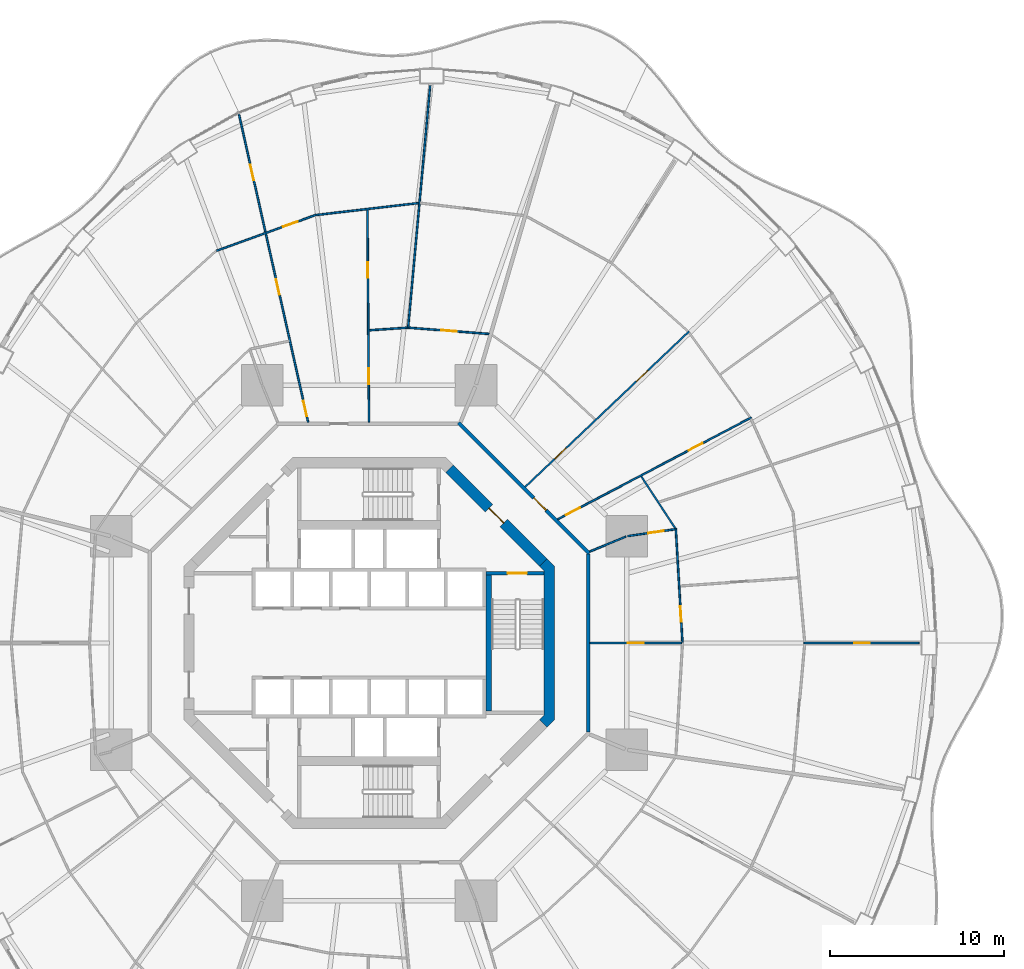
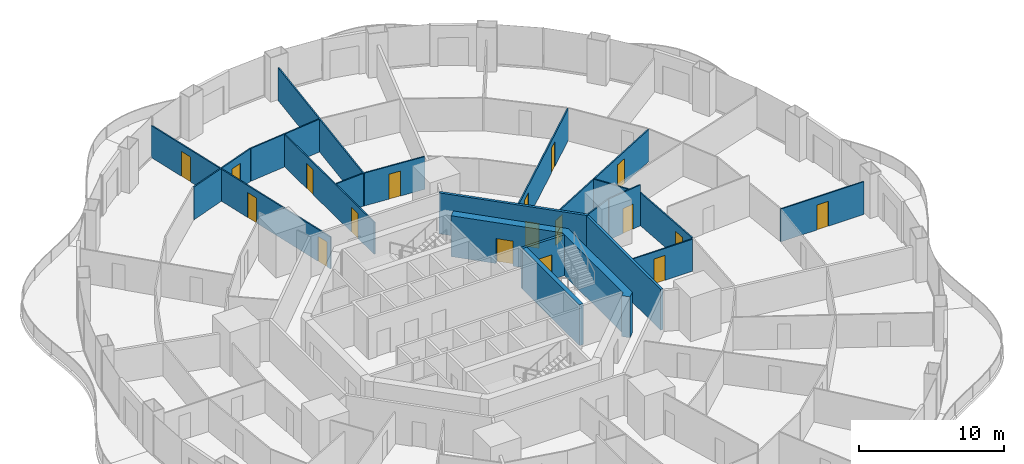
# One storey, part 18 of 22: 21 walls, 18 doors, 18 openings.
"""IFC4 building model written with IfcOpenShell, lengths in metres."""

from ifc_helpers import new_model, si_unit, direction, frame, frame_2d, origin, place, context, subcontext, project, spatial, polyline, rectangle, outline, extrude, material, layer, layer_set, type_object, element, fill, save


model = new_model("IFC4")

# Units and contexts
model_context = context("Model", 3, precision=1e-05, world=origin(), true_north=direction((0.0, 1.0)))
body_context = subcontext(model_context, "Body", "Model", "MODEL_VIEW")
ifc_project = project(units=[si_unit("LENGTHUNIT", "METRE"), si_unit("AREAUNIT", "SQUARE_METRE"), si_unit("VOLUMEUNIT", "CUBIC_METRE"), si_unit("PLANEANGLEUNIT", "RADIAN"), si_unit("MASSUNIT", "GRAM", prefix="KILO")], contexts=[model_context])

# Site, building, storey
site_placement = place(None, origin())
site = spatial("IfcSite", under=ifc_project, at=site_placement, CompositionType="ELEMENT")
building_placement = place(site_placement, origin())
building = spatial("IfcBuilding", under=site, at=building_placement, Name="Nagisa Residences", CompositionType="ELEMENT")
storey_placement = place(building_placement, frame((0.0, 0.0, 30.699951171875)))
storey = spatial("IfcBuildingStorey", under=building, at=storey_placement, Name="L06", CompositionType="ELEMENT", Elevation=30.699951171875)

# Wall
ifc_material_1 = material(Name="Gypsum board on steel studs", Category="steel")
ifc_layer_1 = layer(ifc_material_1, 0.199951171875)
ifc_layer_set_1 = layer_set([ifc_layer_1], Name="Apartment entry wall EI60 200")
wall_type_1 = type_object("IfcWallType", Name="Apartment entry wall EI60 200", PredefinedType="PARTITIONING", material=ifc_layer_set_1)
wall_1_placement = place(storey_placement, frame((12.564697265625, -5.1044921875, 0.0), z_axis=(0.0, 0.0, 1.0), x_axis=(0.0, 1.0, 0.0)))
element("IfcWall", 1, at=wall_1_placement, inside=storey, type_object=wall_type_1, Name="wall:L06:u08", PredefinedType="PARTITIONING", context=body_context, shape_type="SweptSolid", body=[
    extrude(rectangle(XDim=10.208984375, YDim=0.199951171875, at=frame_2d((5.1044921875, 0.0))), origin(), (0.0, 0.0, 1.0), 3.43994140625),
])

# Wall, opening, door
wall_2_placement = place(storey_placement, frame((12.635498046875, 5.1337890625, 0.0), z_axis=(0.0, 0.0, 1.0), x_axis=(-0.707106781187, 0.707106781187, 0.0)))
wall_2 = element("IfcWall", 2, at=wall_2_placement, inside=storey, type_object=wall_type_1, Name="wall:L06:u09", PredefinedType="PARTITIONING", context=body_context, shape_type="SweptSolid", body=[
    extrude(rectangle(XDim=10.609130859375, YDim=0.199951171875, at=frame_2d((5.3046875, 0.0))), origin(), (0.0, 0.0, 1.0), 3.43994140625),
])
opening_1_placement = place(wall_2_placement, frame((3.50341796875, 0.0, 0.0)))
opening_1 = element("IfcOpeningElement", 3, at=opening_1_placement, cuts=wall_2, Name="Opening L06-U01", PredefinedType="OPENING", context=body_context, shape_type="SweptSolid", body=[
    extrude(rectangle(XDim=1.0, YDim=2.10009765625, at=frame_2d((0.5, 1.050048828125))), frame((0.0, 0.10986328125, 0.0), z_axis=(0.0, -1.0, 0.0), x_axis=(1.0, 0.0, 0.0)), (0.0, 0.0, 1.0), 0.219970703125),
])
ifc_material_2 = material(Name="Timber fire door set", Category="wood")
door_type_1 = type_object("IfcDoorType", Name="Apartment entry door FD30S 1000x2100", OperationType="NOTDEFINED", PredefinedType="DOOR", material=ifc_material_2)
door_1_placement = place(opening_1_placement, frame((1.0, 0.0, 0.0), x_axis=(-1.0, 0.0, 0.0)))
door_1 = element("IfcDoor", 4, at=door_1_placement, inside=storey, type_object=door_type_1, Name="Entry door, Apartment 06A", OperationType="SINGLE_SWING_RIGHT", OverallHeight=2.10009765625, OverallWidth=1.0, PredefinedType="DOOR", context=body_context, shape_type="SweptSolid", body=[
    extrude(rectangle(XDim=1.0, YDim=2.10009765625, at=frame_2d((0.5, 1.050048828125))), frame((0.0, 0.02490234375, 0.0), z_axis=(0.0, -1.0, 0.0), x_axis=(1.0, 0.0, 0.0)), (0.0, 0.0, 1.0), 0.050048828125),
])
fill(opening_1, door_1)

ifc_material_3 = material(Name="Gypsum board on steel studs", Category="steel")
ifc_layer_2 = layer(ifc_material_3, 0.10009765625)
ifc_layer_set_2 = layer_set([ifc_layer_2], Name="Apartment partition 100")
wall_type_2 = type_object("IfcWallType", Name="Apartment partition 100", PredefinedType="PARTITIONING", material=ifc_layer_set_2)
wall_3_placement = place(storey_placement, frame((12.664794921875, 0.0, 0.0), z_axis=(0.0, 0.0, 1.0), x_axis=(1.0, 0.0, 0.0)))
wall_3 = element("IfcWall", 5, at=wall_3_placement, inside=storey, type_object=wall_type_2, Name="wall:L06:u16", PredefinedType="PARTITIONING", context=body_context, shape_type="SweptSolid", body=[
    extrude(rectangle(XDim=5.259521484375, YDim=0.10009765625, at=frame_2d((2.6298828125, 0.0))), origin(), (0.0, 0.0, 1.0), 2.68701171875),
])
opening_2_placement = place(wall_3_placement, frame((2.1796875, 0.0, 0.0)))
opening_2 = element("IfcOpeningElement", 6, at=opening_2_placement, cuts=wall_3, Name="Opening L06-U14", PredefinedType="OPENING", context=body_context, shape_type="SweptSolid", body=[
    extrude(rectangle(XDim=0.89990234375, YDim=2.10009765625, at=frame_2d((0.449951171875, 1.050048828125))), frame((0.0, 0.06005859375, 0.0), z_axis=(0.0, -1.0, 0.0), x_axis=(1.0, 0.0, 0.0)), (0.0, 0.0, 1.0), 0.1201171875),
])
ifc_material_4 = material(Name="Timber door set", Category="wood")
door_type_2 = type_object("IfcDoorType", Name="Apartment door 900x2100", OperationType="NOTDEFINED", PredefinedType="DOOR", material=ifc_material_4)
door_2_placement = place(opening_2_placement, frame((0.89990234375, 0.0, 0.0), x_axis=(-1.0, 0.0, 0.0)))
door_2 = element("IfcDoor", 7, at=door_2_placement, inside=storey, type_object=door_type_2, Name="Door to store, Apartment 06A", OperationType="SINGLE_SWING_LEFT", OverallHeight=2.10009765625, OverallWidth=0.89990234375, PredefinedType="DOOR", context=body_context, shape_type="SweptSolid", body=[
    extrude(rectangle(XDim=0.89990234375, YDim=2.10009765625, at=frame_2d((0.449951171875, 1.050048828125))), frame((0.0, 0.02490234375, 0.0), z_axis=(0.0, -1.0, 0.0), x_axis=(1.0, 0.0, 0.0)), (0.0, 0.0, 1.0), 0.050048828125),
])
fill(opening_2, door_2)

wall_4_placement = place(storey_placement, frame((17.971435546875, 0.0498046875, 0.0), z_axis=(0.0, 0.0, 1.0), x_axis=(-0.058476853647, 0.998288764631, 0.0)))
wall_4 = element("IfcWall", 8, at=wall_4_placement, inside=storey, type_object=wall_type_2, Name="wall:L06:u17", PredefinedType="PARTITIONING", context=body_context, shape_type="SweptSolid", body=[
    extrude(rectangle(XDim=6.5380859375, YDim=0.10009765625, at=frame_2d((3.26904296875, 0.0))), origin(), (0.0, 0.0, 1.0), 2.756103515625),
])
opening_3_placement = place(wall_4_placement, frame((1.159423828125, 0.0, 0.0)))
opening_3 = element("IfcOpeningElement", 9, at=opening_3_placement, cuts=wall_4, Name="Opening L06-U10", PredefinedType="OPENING", context=body_context, shape_type="SweptSolid", body=[
    extrude(rectangle(XDim=0.89990234375, YDim=2.10009765625, at=frame_2d((0.449951171875, 1.050048828125))), frame((0.0, 0.06005859375, 0.0), z_axis=(0.0, -1.0, 0.0), x_axis=(1.0, 0.0, 0.0)), (0.0, 0.0, 1.0), 0.1201171875),
])
door_3_placement = place(opening_3_placement, frame((0.89990234375, 0.0, 0.0), x_axis=(-1.0, 0.0, 0.0)))
door_3 = element("IfcDoor", 10, at=door_3_placement, inside=storey, type_object=door_type_2, Name="Door to dining room, Apartment 06A", OperationType="SINGLE_SWING_LEFT", OverallHeight=2.10009765625, OverallWidth=0.89990234375, PredefinedType="DOOR", context=body_context, shape_type="SweptSolid", body=[
    extrude(rectangle(XDim=0.89990234375, YDim=2.10009765625, at=frame_2d((0.449951171875, 1.050048828125))), frame((0.0, 0.02490234375, 0.0), z_axis=(0.0, -1.0, 0.0), x_axis=(1.0, 0.0, 0.0)), (0.0, 0.0, 1.0), 0.050048828125),
])
fill(opening_3, door_3)

wall_5_placement = place(storey_placement, frame((24.9365234375, 0.0, 0.0), z_axis=(0.0, 0.0, 1.0), x_axis=(1.0, 0.0, 0.0)))
wall_5 = element("IfcWall", 11, at=wall_5_placement, inside=storey, type_object=wall_type_2, Name="wall:L06:u19", PredefinedType="PARTITIONING", context=body_context, shape_type="SweptSolid", body=[
    extrude(rectangle(XDim=6.613525390625, YDim=0.10009765625, at=frame_2d((3.306640625, 0.0))), origin(), (0.0, 0.0, 1.0), 2.756103515625),
])
opening_4_placement = place(wall_5_placement, frame((2.881591796875, 0.0, 0.0)))
opening_4 = element("IfcOpeningElement", 12, at=opening_4_placement, cuts=wall_5, Name="Opening L06-U13", PredefinedType="OPENING", context=body_context, shape_type="SweptSolid", body=[
    extrude(rectangle(XDim=0.89990234375, YDim=2.10009765625, at=frame_2d((0.449951171875, 1.050048828125))), frame((0.0, 0.06005859375, 0.0), z_axis=(0.0, -1.0, 0.0), x_axis=(1.0, 0.0, 0.0)), (0.0, 0.0, 1.0), 0.1201171875),
])
door_4_placement = place(opening_4_placement, origin())
door_4 = element("IfcDoor", 13, at=door_4_placement, inside=storey, type_object=door_type_2, Name="Door to family room, Apartment 06A", OperationType="SINGLE_SWING_LEFT", OverallHeight=2.10009765625, OverallWidth=0.89990234375, PredefinedType="DOOR", context=body_context, shape_type="SweptSolid", body=[
    extrude(rectangle(XDim=0.89990234375, YDim=2.10009765625, at=frame_2d((0.449951171875, 1.050048828125))), frame((0.0, 0.02490234375, 0.0), z_axis=(0.0, -1.0, 0.0), x_axis=(1.0, 0.0, 0.0)), (0.0, 0.0, 1.0), 0.050048828125),
])
fill(opening_4, door_4)

# Wall
wall_6_placement = place(storey_placement, frame((12.6572265625, 5.24267578125, 0.0), z_axis=(0.0, 0.0, 1.0), x_axis=(0.923864733477, 0.382719158442, 0.0)))
element("IfcWall", 14, at=wall_6_placement, inside=storey, type_object=wall_type_2, Name="wall:L06:u23", PredefinedType="PARTITIONING", context=body_context, shape_type="SweptSolid", body=[
    extrude(rectangle(XDim=2.25, YDim=0.10009765625, at=frame_2d((1.125, 0.0))), origin(), (0.0, 0.0, 1.0), 3.43994140625),
])

# Wall, opening, door
wall_7_placement = place(storey_placement, frame((14.83154296875, 6.130126953125, 0.0), z_axis=(0.0, 0.0, 1.0), x_axis=(0.989840446863, 0.142182593007, 0.0)))
wall_7 = element("IfcWall", 15, at=wall_7_placement, inside=storey, type_object=wall_type_2, Name="wall:L06:u24", PredefinedType="PARTITIONING", context=body_context, shape_type="SweptSolid", body=[
    extrude(rectangle(XDim=2.73876953125, YDim=0.10009765625, at=frame_2d((1.369384765625, 0.0))), origin(), (0.0, 0.0, 1.0), 3.43994140625),
])
opening_5_placement = place(wall_7_placement, frame((1.197021484375, 0.0, 0.0)))
opening_5 = element("IfcOpeningElement", 16, at=opening_5_placement, cuts=wall_7, Name="Opening L06-U09", PredefinedType="OPENING", context=body_context, shape_type="SweptSolid", body=[
    extrude(rectangle(XDim=0.89990234375, YDim=2.10009765625, at=frame_2d((0.449951171875, 1.050048828125))), frame((0.0, 0.06005859375, 0.0), z_axis=(0.0, -1.0, 0.0), x_axis=(1.0, 0.0, 0.0)), (0.0, 0.0, 1.0), 0.1201171875),
])
door_5_placement = place(opening_5_placement, frame((0.89990234375, 0.0, 0.0), x_axis=(-1.0, 0.0, 0.0)))
door_5 = element("IfcDoor", 17, at=door_5_placement, inside=storey, type_object=door_type_2, Name="Door to laundry, Apartment 06A", OperationType="SINGLE_SWING_RIGHT", OverallHeight=2.10009765625, OverallWidth=0.89990234375, PredefinedType="DOOR", context=body_context, shape_type="SweptSolid", body=[
    extrude(rectangle(XDim=0.89990234375, YDim=2.10009765625, at=frame_2d((0.449951171875, 1.050048828125))), frame((0.0, 0.02490234375, 0.0), z_axis=(0.0, -1.0, 0.0), x_axis=(1.0, 0.0, 0.0)), (0.0, 0.0, 1.0), 0.050048828125),
])
fill(opening_5, door_5)

# Wall
wall_8_placement = place(storey_placement, frame((17.564453125, 6.568603515625, 0.0), z_axis=(0.0, 0.0, 1.0), x_axis=(-0.547641765292, 0.836712911881, 0.0)))
element("IfcWall", 18, at=wall_8_placement, inside=storey, type_object=wall_type_2, Name="wall:L06:u25", PredefinedType="PARTITIONING", context=body_context, shape_type="SweptSolid", body=[
    extrude(rectangle(XDim=3.570068359375, YDim=0.10009765625, at=frame_2d((1.78515625, 0.0))), origin(), (0.0, 0.0, 1.0), 2.756103515625),
])

# Wall, openings, doors
wall_9_placement = place(storey_placement, frame((10.813232421875, 7.091064453125, 0.0), z_axis=(0.0, 0.0, 1.0), x_axis=(0.885182649479, 0.465243674928, 0.0)))
wall_9 = element("IfcWall", 19, at=wall_9_placement, inside=storey, type_object=wall_type_2, Name="wall:L06:u28", PredefinedType="PARTITIONING", context=body_context, shape_type="SweptSolid", body=[
    extrude(rectangle(XDim=12.550537109375, YDim=0.10009765625, at=frame_2d((6.275390625, 0.0))), origin(), (0.0, 0.0, 1.0), 2.68701171875),
])
opening_6_placement = place(wall_9_placement, frame((0.539306640625, 0.0, 0.0)))
opening_6 = element("IfcOpeningElement", 20, at=opening_6_placement, cuts=wall_9, Name="Opening L06-U02", PredefinedType="OPENING", context=body_context, shape_type="SweptSolid", body=[
    extrude(rectangle(XDim=0.89990234375, YDim=2.10009765625, at=frame_2d((0.449951171875, 1.050048828125))), frame((0.0, 0.06005859375, 0.0), z_axis=(0.0, -1.0, 0.0), x_axis=(1.0, 0.0, 0.0)), (0.0, 0.0, 1.0), 0.1201171875),
])
opening_7_placement = place(wall_9_placement, frame((8.493896484375, 0.0, 0.0)))
opening_7 = element("IfcOpeningElement", 21, at=opening_7_placement, cuts=wall_9, Name="Opening L06-U04", PredefinedType="OPENING", context=body_context, shape_type="SweptSolid", body=[
    extrude(rectangle(XDim=0.89990234375, YDim=2.10009765625, at=frame_2d((0.449951171875, 1.050048828125))), frame((0.0, 0.06005859375, 0.0), z_axis=(0.0, -1.0, 0.0), x_axis=(1.0, 0.0, 0.0)), (0.0, 0.0, 1.0), 0.1201171875),
])
door_6_placement = place(opening_6_placement, frame((0.89990234375, 0.0, 0.0), x_axis=(-1.0, 0.0, 0.0)))
door_6 = element("IfcDoor", 22, at=door_6_placement, inside=storey, type_object=door_type_2, Name="Door to family bathroom, Apartment 06A", OperationType="SINGLE_SWING_LEFT", OverallHeight=2.10009765625, OverallWidth=0.89990234375, PredefinedType="DOOR", context=body_context, shape_type="SweptSolid", body=[
    extrude(rectangle(XDim=0.89990234375, YDim=2.10009765625, at=frame_2d((0.449951171875, 1.050048828125))), frame((0.0, 0.02490234375, 0.0), z_axis=(0.0, -1.0, 0.0), x_axis=(1.0, 0.0, 0.0)), (0.0, 0.0, 1.0), 0.050048828125),
])
fill(opening_6, door_6)
door_7_placement = place(opening_7_placement, frame((0.89990234375, 0.0, 0.0), x_axis=(-1.0, 0.0, 0.0)))
door_7 = element("IfcDoor", 23, at=door_7_placement, inside=storey, type_object=door_type_2, Name="Door to family bathroom, Apartment 06A", OperationType="SINGLE_SWING_LEFT", OverallHeight=2.10009765625, OverallWidth=0.89990234375, PredefinedType="DOOR", context=body_context, shape_type="SweptSolid", body=[
    extrude(rectangle(XDim=0.89990234375, YDim=2.10009765625, at=frame_2d((0.449951171875, 1.050048828125))), frame((0.0, 0.02490234375, 0.0), z_axis=(0.0, -1.0, 0.0), x_axis=(1.0, 0.0, 0.0)), (0.0, 0.0, 1.0), 0.050048828125),
])
fill(opening_7, door_7)

wall_10_placement = place(storey_placement, frame((8.95703125, 8.953369140625, 0.0), z_axis=(0.0, 0.0, 1.0), x_axis=(0.725250022034, 0.688485588476, 0.0)))
wall_10 = element("IfcWall", 24, at=wall_10_placement, inside=storey, type_object=wall_type_2, Name="wall:L06:u31", PredefinedType="PARTITIONING", context=body_context, shape_type="SweptSolid", body=[
    extrude(rectangle(XDim=12.962646484375, YDim=0.10009765625, at=frame_2d((6.4814453125, 0.0))), origin(), (0.0, 0.0, 1.0), 2.68701171875),
])
opening_8_placement = place(wall_10_placement, frame((2.33349609375, 0.0, 0.0)))
opening_8 = element("IfcOpeningElement", 25, at=opening_8_placement, cuts=wall_10, Name="Opening L06-U03", PredefinedType="OPENING", context=body_context, shape_type="SweptSolid", body=[
    extrude(rectangle(XDim=0.89990234375, YDim=2.10009765625, at=frame_2d((0.449951171875, 1.050048828125))), frame((0.0, 0.06005859375, 0.0), z_axis=(0.0, -1.0, 0.0), x_axis=(1.0, 0.0, 0.0)), (0.0, 0.0, 1.0), 0.1201171875),
])
opening_9_placement = place(wall_10_placement, frame((8.78955078125, 0.0, 0.0)))
opening_9 = element("IfcOpeningElement", 26, at=opening_9_placement, cuts=wall_10, Name="Opening L06-U05", PredefinedType="OPENING", context=body_context, shape_type="SweptSolid", body=[
    extrude(rectangle(XDim=0.89990234375, YDim=2.10009765625, at=frame_2d((0.449951171875, 1.050048828125))), frame((0.0, 0.06005859375, 0.0), z_axis=(0.0, -1.0, 0.0), x_axis=(1.0, 0.0, 0.0)), (0.0, 0.0, 1.0), 0.1201171875),
])
door_8_placement = place(opening_8_placement, origin())
door_8 = element("IfcDoor", 27, at=door_8_placement, inside=storey, type_object=door_type_2, Name="Door to store, Apartment 06A", OperationType="SINGLE_SWING_LEFT", OverallHeight=2.10009765625, OverallWidth=0.89990234375, PredefinedType="DOOR", context=body_context, shape_type="SweptSolid", body=[
    extrude(rectangle(XDim=0.89990234375, YDim=2.10009765625, at=frame_2d((0.449951171875, 1.050048828125))), frame((0.0, 0.02490234375, 0.0), z_axis=(0.0, -1.0, 0.0), x_axis=(1.0, 0.0, 0.0)), (0.0, 0.0, 1.0), 0.050048828125),
])
fill(opening_8, door_8)
door_9_placement = place(opening_9_placement, origin())
door_9 = element("IfcDoor", 28, at=door_9_placement, inside=storey, type_object=door_type_2, Name="Door to dining room, Apartment 06A", OperationType="SINGLE_SWING_LEFT", OverallHeight=2.10009765625, OverallWidth=0.89990234375, PredefinedType="DOOR", context=body_context, shape_type="SweptSolid", body=[
    extrude(rectangle(XDim=0.89990234375, YDim=2.10009765625, at=frame_2d((0.449951171875, 1.050048828125))), frame((0.0, 0.02490234375, 0.0), z_axis=(0.0, -1.0, 0.0), x_axis=(1.0, 0.0, 0.0)), (0.0, 0.0, 1.0), 0.050048828125),
])
fill(opening_9, door_9)

# Wall, opening, door
wall_11_placement = place(storey_placement, frame((6.878173828125, 17.72314453125, 0.0), z_axis=(0.0, 0.0, 1.0), x_axis=(-0.99701850123, 0.077162868047, 0.0)))
wall_11 = element("IfcWall", 29, at=wall_11_placement, inside=storey, type_object=wall_type_2, Name="wall:L06:u37", PredefinedType="PARTITIONING", context=body_context, shape_type="SweptSolid", body=[
    extrude(rectangle(XDim=4.603515625, YDim=0.10009765625, at=frame_2d((2.3017578125, 0.0))), origin(), (0.0, 0.0, 1.0), 2.756103515625),
])
opening_10_placement = place(wall_11_placement, frame((1.851806640625, 0.0, 0.0)))
opening_10 = element("IfcOpeningElement", 30, at=opening_10_placement, cuts=wall_11, Name="Opening L06-U18", PredefinedType="OPENING", context=body_context, shape_type="SweptSolid", body=[
    extrude(rectangle(XDim=0.89990234375, YDim=2.10009765625, at=frame_2d((0.449951171875, 1.050048828125))), frame((0.0, 0.06005859375, 0.0), z_axis=(0.0, -1.0, 0.0), x_axis=(1.0, 0.0, 0.0)), (0.0, 0.0, 1.0), 0.1201171875),
])
door_10_placement = place(opening_10_placement, frame((0.89990234375, 0.0, 0.0), x_axis=(-1.0, 0.0, 0.0)))
door_10 = element("IfcDoor", 31, at=door_10_placement, inside=storey, type_object=door_type_2, Name="Door to kitchen, Apartment 06B", OperationType="SINGLE_SWING_LEFT", OverallHeight=2.10009765625, OverallWidth=0.89990234375, PredefinedType="DOOR", context=body_context, shape_type="SweptSolid", body=[
    extrude(rectangle(XDim=0.89990234375, YDim=2.10009765625, at=frame_2d((0.449951171875, 1.050048828125))), frame((0.0, 0.02490234375, 0.0), z_axis=(0.0, -1.0, 0.0), x_axis=(1.0, 0.0, 0.0)), (0.0, 0.0, 1.0), 0.050048828125),
])
fill(opening_10, door_10)

# Walls
wall_12_placement = place(storey_placement, frame((2.23388671875, 18.032470703125, 0.0), z_axis=(0.0, 0.0, 1.0), x_axis=(0.090891502968, 0.995860800859, 0.0)))
element("IfcWall", 32, at=wall_12_placement, inside=storey, type_object=wall_type_2, Name="wall:L06:u39", PredefinedType="PARTITIONING", context=body_context, shape_type="SweptSolid", body=[
    extrude(rectangle(XDim=13.983642578125, YDim=0.10009765625, at=frame_2d((6.99169921875, 0.0))), origin(), (0.0, 0.0, 1.0), 2.756103515625),
])
wall_13_placement = place(storey_placement, frame((2.1884765625, 18.078857421875, 0.0), z_axis=(0.0, 0.0, 1.0), x_axis=(-0.997794542617, -0.066378089183, 0.0)))
element("IfcWall", 33, at=wall_13_placement, inside=storey, type_object=wall_type_2, Name="wall:L06:u40", PredefinedType="PARTITIONING", context=body_context, shape_type="SweptSolid", body=[
    extrude(rectangle(XDim=2.184814453125, YDim=0.10009765625, at=frame_2d((1.09228515625, 0.0))), origin(), (0.0, 0.0, 1.0), 2.756103515625),
])
wall_14_placement = place(storey_placement, frame((2.841552734375, 25.228759765625, 0.0), z_axis=(0.0, 0.0, 1.0), x_axis=(-0.993255612046, -0.115945198862, 0.0)))
element("IfcWall", 34, at=wall_14_placement, inside=storey, type_object=wall_type_2, Name="wall:L06:u41", PredefinedType="PARTITIONING", context=body_context, shape_type="SweptSolid", body=[
    extrude(rectangle(XDim=5.91259765625, YDim=0.10009765625, at=frame_2d((2.956298828125, 0.0))), origin(), (0.0, 0.0, 1.0), 2.756103515625),
])

# Wall, openings, doors
wall_15_placement = place(storey_placement, frame((-0.000732421875, 12.664794921875, 0.0), z_axis=(0.0, 0.0, 1.0), x_axis=(-0.007702417287, 0.999970335944, 0.0)))
wall_15 = element("IfcWall", 35, at=wall_15_placement, inside=storey, type_object=wall_type_2, Name="wall:L06:u42", PredefinedType="PARTITIONING", context=body_context, shape_type="SweptSolid", body=[
    extrude(rectangle(XDim=12.17138671875, YDim=0.10009765625, at=frame_2d((6.085693359375, 0.0))), origin(), (0.0, 0.0, 1.0), 2.68701171875),
])
opening_11_placement = place(wall_15_placement, frame((2.182861328125, 0.0, 0.0)))
opening_11 = element("IfcOpeningElement", 36, at=opening_11_placement, cuts=wall_15, Name="Opening L06-U16", PredefinedType="OPENING", context=body_context, shape_type="SweptSolid", body=[
    extrude(rectangle(XDim=0.89990234375, YDim=2.10009765625, at=frame_2d((0.449951171875, 1.050048828125))), frame((0.0, 0.06005859375, 0.0), z_axis=(0.0, -1.0, 0.0), x_axis=(1.0, 0.0, 0.0)), (0.0, 0.0, 1.0), 0.1201171875),
])
opening_12_placement = place(wall_15_placement, frame((8.268798828125, 0.0, 0.0)))
opening_12 = element("IfcOpeningElement", 37, at=opening_12_placement, cuts=wall_15, Name="Opening L06-U19", PredefinedType="OPENING", context=body_context, shape_type="SweptSolid", body=[
    extrude(rectangle(XDim=0.89990234375, YDim=2.10009765625, at=frame_2d((0.449951171875, 1.050048828125))), frame((0.0, 0.06005859375, 0.0), z_axis=(0.0, -1.0, 0.0), x_axis=(1.0, 0.0, 0.0)), (0.0, 0.0, 1.0), 0.1201171875),
])
door_11_placement = place(opening_11_placement, frame((0.89990234375, 0.0, 0.0), x_axis=(-1.0, 0.0, 0.0)))
door_11 = element("IfcDoor", 38, at=door_11_placement, inside=storey, type_object=door_type_2, Name="Door to store, Apartment 06B", OperationType="SINGLE_SWING_LEFT", OverallHeight=2.10009765625, OverallWidth=0.89990234375, PredefinedType="DOOR", context=body_context, shape_type="SweptSolid", body=[
    extrude(rectangle(XDim=0.89990234375, YDim=2.10009765625, at=frame_2d((0.449951171875, 1.050048828125))), frame((0.0, 0.02490234375, 0.0), z_axis=(0.0, -1.0, 0.0), x_axis=(1.0, 0.0, 0.0)), (0.0, 0.0, 1.0), 0.050048828125),
])
fill(opening_11, door_11)
door_12_placement = place(opening_12_placement, frame((0.89990234375, 0.0, 0.0), x_axis=(-1.0, 0.0, 0.0)))
door_12 = element("IfcDoor", 39, at=door_12_placement, inside=storey, type_object=door_type_2, Name="Door to family bathroom, Apartment 06B", OperationType="SINGLE_SWING_RIGHT", OverallHeight=2.10009765625, OverallWidth=0.89990234375, PredefinedType="DOOR", context=body_context, shape_type="SweptSolid", body=[
    extrude(rectangle(XDim=0.89990234375, YDim=2.10009765625, at=frame_2d((0.449951171875, 1.050048828125))), frame((0.0, 0.02490234375, 0.0), z_axis=(0.0, -1.0, 0.0), x_axis=(1.0, 0.0, 0.0)), (0.0, 0.0, 1.0), 0.050048828125),
])
fill(opening_12, door_12)

# Wall, opening, door
wall_16_placement = place(storey_placement, frame((-3.03369140625, 24.554443359375, 0.0), z_axis=(0.0, 0.0, 1.0), x_axis=(-0.940401691072, -0.340065669288, 0.0)))
wall_16 = element("IfcWall", 40, at=wall_16_placement, inside=storey, type_object=wall_type_2, Name="wall:L06:u43", PredefinedType="PARTITIONING", context=body_context, shape_type="SweptSolid", body=[
    extrude(rectangle(XDim=6.067138671875, YDim=0.10009765625, at=frame_2d((3.03369140625, 0.0))), origin(), (0.0, 0.0, 1.0), 2.756103515625),
])
opening_13_placement = place(wall_16_placement, frame((1.11669921875, 0.0, 0.0)))
opening_13 = element("IfcOpeningElement", 41, at=opening_13_placement, cuts=wall_16, Name="Opening L06-U23", PredefinedType="OPENING", context=body_context, shape_type="SweptSolid", body=[
    extrude(rectangle(XDim=0.89990234375, YDim=2.10009765625, at=frame_2d((0.449951171875, 1.050048828125))), frame((0.0, 0.06005859375, 0.0), z_axis=(0.0, -1.0, 0.0), x_axis=(1.0, 0.0, 0.0)), (0.0, 0.0, 1.0), 0.1201171875),
])
door_13_placement = place(opening_13_placement, frame((0.89990234375, 0.0, 0.0), x_axis=(-1.0, 0.0, 0.0)))
door_13 = element("IfcDoor", 42, at=door_13_placement, inside=storey, type_object=door_type_2, Name="Door to living room, Apartment 06B", OperationType="SINGLE_SWING_RIGHT", OverallHeight=2.10009765625, OverallWidth=0.89990234375, PredefinedType="DOOR", context=body_context, shape_type="SweptSolid", body=[
    extrude(rectangle(XDim=0.89990234375, YDim=2.10009765625, at=frame_2d((0.449951171875, 1.050048828125))), frame((0.0, 0.02490234375, 0.0), z_axis=(0.0, -1.0, 0.0), x_axis=(1.0, 0.0, 0.0)), (0.0, 0.0, 1.0), 0.050048828125),
])
fill(opening_13, door_13)

# Wall, openings, doors
wall_17_placement = place(storey_placement, frame((-3.49169921875, 12.662353515625, 0.0), z_axis=(0.0, 0.0, 1.0), x_axis=(-0.219268088006, 0.975664648115, 0.0)))
wall_17 = element("IfcWall", 43, at=wall_17_placement, inside=storey, type_object=wall_type_2, Name="wall:L06:u44", PredefinedType="PARTITIONING", context=body_context, shape_type="SweptSolid", body=[
    extrude(rectangle(XDim=18.230224609375, YDim=0.10009765625, at=frame_2d((9.115234375, 0.0))), origin(), (0.0, 0.0, 1.0), 2.68701171875),
])
opening_14_placement = place(wall_17_placement, frame((0.35009765625, 0.0, 0.0)))
opening_14 = element("IfcOpeningElement", 44, at=opening_14_placement, cuts=wall_17, Name="Opening L06-U17", PredefinedType="OPENING", context=body_context, shape_type="SweptSolid", body=[
    extrude(rectangle(XDim=0.89990234375, YDim=2.10009765625, at=frame_2d((0.449951171875, 1.050048828125))), frame((0.0, 0.06005859375, 0.0), z_axis=(0.0, -1.0, 0.0), x_axis=(1.0, 0.0, 0.0)), (0.0, 0.0, 1.0), 0.1201171875),
])
opening_15_placement = place(wall_17_placement, frame((7.49658203125, 0.0, 0.0)))
opening_15 = element("IfcOpeningElement", 45, at=opening_15_placement, cuts=wall_17, Name="Opening L06-U20", PredefinedType="OPENING", context=body_context, shape_type="SweptSolid", body=[
    extrude(rectangle(XDim=0.89990234375, YDim=2.10009765625, at=frame_2d((0.449951171875, 1.050048828125))), frame((0.0, 0.06005859375, 0.0), z_axis=(0.0, -1.0, 0.0), x_axis=(1.0, 0.0, 0.0)), (0.0, 0.0, 1.0), 0.1201171875),
])
opening_16_placement = place(wall_17_placement, frame((14.22265625, 0.0, 0.0)))
opening_16 = element("IfcOpeningElement", 46, at=opening_16_placement, cuts=wall_17, Name="Opening L06-U24", PredefinedType="OPENING", context=body_context, shape_type="SweptSolid", body=[
    extrude(rectangle(XDim=0.89990234375, YDim=2.10009765625, at=frame_2d((0.449951171875, 1.050048828125))), frame((0.0, 0.06005859375, 0.0), z_axis=(0.0, -1.0, 0.0), x_axis=(1.0, 0.0, 0.0)), (0.0, 0.0, 1.0), 0.1201171875),
])
door_14_placement = place(opening_14_placement, origin())
door_14 = element("IfcDoor", 47, at=door_14_placement, inside=storey, type_object=door_type_2, Name="Door to family bathroom, Apartment 06B", OperationType="SINGLE_SWING_LEFT", OverallHeight=2.10009765625, OverallWidth=0.89990234375, PredefinedType="DOOR", context=body_context, shape_type="SweptSolid", body=[
    extrude(rectangle(XDim=0.89990234375, YDim=2.10009765625, at=frame_2d((0.449951171875, 1.050048828125))), frame((0.0, 0.02490234375, 0.0), z_axis=(0.0, -1.0, 0.0), x_axis=(1.0, 0.0, 0.0)), (0.0, 0.0, 1.0), 0.050048828125),
])
fill(opening_14, door_14)
door_15_placement = place(opening_15_placement, origin())
door_15 = element("IfcDoor", 48, at=door_15_placement, inside=storey, type_object=door_type_2, Name="Door to dining room, Apartment 06B", OperationType="SINGLE_SWING_RIGHT", OverallHeight=2.10009765625, OverallWidth=0.89990234375, PredefinedType="DOOR", context=body_context, shape_type="SweptSolid", body=[
    extrude(rectangle(XDim=0.89990234375, YDim=2.10009765625, at=frame_2d((0.449951171875, 1.050048828125))), frame((0.0, 0.02490234375, 0.0), z_axis=(0.0, -1.0, 0.0), x_axis=(1.0, 0.0, 0.0)), (0.0, 0.0, 1.0), 0.050048828125),
])
fill(opening_15, door_15)
door_16_placement = place(opening_16_placement, origin())
door_16 = element("IfcDoor", 49, at=door_16_placement, inside=storey, type_object=door_type_2, Name="Door to family room, Apartment 06B", OperationType="SINGLE_SWING_RIGHT", OverallHeight=2.10009765625, OverallWidth=0.89990234375, PredefinedType="DOOR", context=body_context, shape_type="SweptSolid", body=[
    extrude(rectangle(XDim=0.89990234375, YDim=2.10009765625, at=frame_2d((0.449951171875, 1.050048828125))), frame((0.0, 0.02490234375, 0.0), z_axis=(0.0, -1.0, 0.0), x_axis=(1.0, 0.0, 0.0)), (0.0, 0.0, 1.0), 0.050048828125),
])
fill(opening_16, door_16)

# Wall, opening, door
ifc_material_5 = material(Name="Concrete C60", Category="concrete")
ifc_layer_3 = layer(ifc_material_5, 0.60009765625)
ifc_layer_set_3 = layer_set([ifc_layer_3], Name="Core shear wall 600")
wall_type_3 = type_object("IfcWallType", Name="Core shear wall 600", PredefinedType="SHEAR", material=ifc_layer_set_3)
wall_18_placement = place(storey_placement, frame((9.98828125, 4.613037109375, 0.0), z_axis=(0.0, 0.0, 1.0), x_axis=(-0.707106781187, 0.707106781187, 0.0)))
wall_18 = element("IfcWall", 50, at=wall_18_placement, inside=storey, type_object=wall_type_3, Name="wall:L06:core:flat1", PredefinedType="SHEAR", context=body_context, shape_type="SweptSolid", body=[
    extrude(rectangle(XDim=7.601806640625, YDim=0.60009765625, at=frame_2d((3.80078125, 0.0))), origin(), (0.0, 0.0, 1.0), 3.43994140625),
])
opening_17_placement = place(wall_18_placement, frame((3.200927734375, 0.0, 0.0)))
opening_17 = element("IfcOpeningElement", 51, at=opening_17_placement, cuts=wall_18, Name="Opening L06-C17", PredefinedType="OPENING", context=body_context, shape_type="SweptSolid", body=[
    extrude(rectangle(XDim=1.199951171875, YDim=2.10009765625, at=frame_2d((0.60009765625, 1.050048828125))), frame((0.0, 0.31005859375, 0.0), z_axis=(0.0, -1.0, 0.0), x_axis=(1.0, 0.0, 0.0)), (0.0, 0.0, 1.0), 0.6201171875),
])
ifc_material_6 = material(Name="Steel fire door", Category="steel")
door_type_3 = type_object("IfcDoorType", Name="Fire door EI60 1200x2100 single swing", OperationType="NOTDEFINED", PredefinedType="DOOR", material=ifc_material_6)
door_17_placement = place(opening_17_placement, origin())
door_17 = element("IfcDoor", 52, at=door_17_placement, inside=storey, type_object=door_type_3, Name="Firefighting lobby 1 door L06", OperationType="SINGLE_SWING_RIGHT", OverallHeight=2.10009765625, OverallWidth=1.199951171875, PredefinedType="DOOR", context=body_context, shape_type="SweptSolid", body=[
    extrude(rectangle(XDim=1.199951171875, YDim=2.10009765625, at=frame_2d((0.60009765625, 1.050048828125))), frame((0.0, 0.02490234375, 0.0), z_axis=(0.0, -1.0, 0.0), x_axis=(1.0, 0.0, 0.0)), (0.0, 0.0, 1.0), 0.050048828125),
])
fill(opening_17, door_17)

# Wall
wall_19_placement = place(storey_placement, origin())
element("IfcWall", 53, at=wall_19_placement, inside=storey, type_object=wall_type_3, Name="wall:L06:core:flat0", PredefinedType="SHEAR", context=body_context, shape_type="SweptSolid", body=[
    extrude(outline(polyline([(9.776123046875, -4.40087890625), (10.024658203125, -4.15234375), (10.024658203125, -3.801025390625), (10.024658203125, 4.15234375), (9.776123046875, 4.40087890625), (10.200439453125, 4.8251953125), (10.62451171875, 4.40087890625), (10.62451171875, -4.40087890625), (10.200439453125, -4.8251953125), (9.776123046875, -4.40087890625)])), origin(), (0.0, 0.0, 1.0), 3.43994140625),
])

# Wall, opening, door
ifc_material_7 = material(Name="Concrete C60", Category="concrete")
ifc_layer_4 = layer(ifc_material_7, 0.199951171875)
ifc_layer_set_4 = layer_set([ifc_layer_4], Name="Stair enclosure wall 200")
wall_type_4 = type_object("IfcWallType", Name="Stair enclosure wall 200", PredefinedType="SOLIDWALL", material=ifc_layer_set_4)
wall_20_placement = place(storey_placement, frame((6.699951171875, 4.0, 0.0), z_axis=(0.0, 0.0, 1.0), x_axis=(1.0, 0.0, 0.0)))
wall_20 = element("IfcWall", 54, at=wall_20_placement, inside=storey, type_object=wall_type_4, Name="wall:L06:SE_n", PredefinedType="SOLIDWALL", context=body_context, shape_type="SweptSolid", body=[
    extrude(rectangle(XDim=3.32470703125, YDim=0.199951171875, at=frame_2d((1.662353515625, 0.0))), origin(), (0.0, 0.0, 1.0), 3.43994140625),
])
opening_18_placement = place(wall_20_placement, frame((1.25, 0.0, 0.0)))
opening_18 = element("IfcOpeningElement", 55, at=opening_18_placement, cuts=wall_20, Name="Opening L06-C09", PredefinedType="OPENING", context=body_context, shape_type="SweptSolid", body=[
    extrude(rectangle(XDim=1.10009765625, YDim=2.10009765625, at=frame_2d((0.550048828125, 1.050048828125))), frame((0.0, 0.10986328125, 0.0), z_axis=(0.0, -1.0, 0.0), x_axis=(1.0, 0.0, 0.0)), (0.0, 0.0, 1.0), 0.219970703125),
])
ifc_material_8 = material(Name="Steel fire door", Category="steel")
door_type_4 = type_object("IfcDoorType", Name="Fire door EI90 1100x2100 single swing", OperationType="NOTDEFINED", PredefinedType="DOOR", material=ifc_material_8)
door_18_placement = place(opening_18_placement, frame((1.10009765625, 0.0, 0.0), x_axis=(-1.0, 0.0, 0.0)))
door_18 = element("IfcDoor", 56, at=door_18_placement, inside=storey, type_object=door_type_4, Name="Stair door ST-E L06", OperationType="SINGLE_SWING_LEFT", OverallHeight=2.10009765625, OverallWidth=1.10009765625, PredefinedType="DOOR", context=body_context, shape_type="SweptSolid", body=[
    extrude(rectangle(XDim=1.10009765625, YDim=2.10009765625, at=frame_2d((0.550048828125, 1.050048828125))), frame((0.0, 0.02490234375, 0.0), z_axis=(0.0, -1.0, 0.0), x_axis=(1.0, 0.0, 0.0)), (0.0, 0.0, 1.0), 0.050048828125),
])
fill(opening_18, door_18)

# Wall
wall_21_placement = place(storey_placement, origin())
element("IfcWall", 57, at=wall_21_placement, inside=storey, type_object=wall_type_4, Name="wall:L06:SE_w", PredefinedType="SOLIDWALL", context=body_context, shape_type="SweptSolid", body=[
    extrude(outline(polyline([(7.024658203125, -3.89990234375), (6.699951171875, -3.89990234375), (6.699951171875, 3.89990234375), (7.024658203125, 3.89990234375), (7.024658203125, -3.89990234375)])), origin(), (0.0, 0.0, 1.0), 3.43994140625),
])

save(model, "model.ifc")
